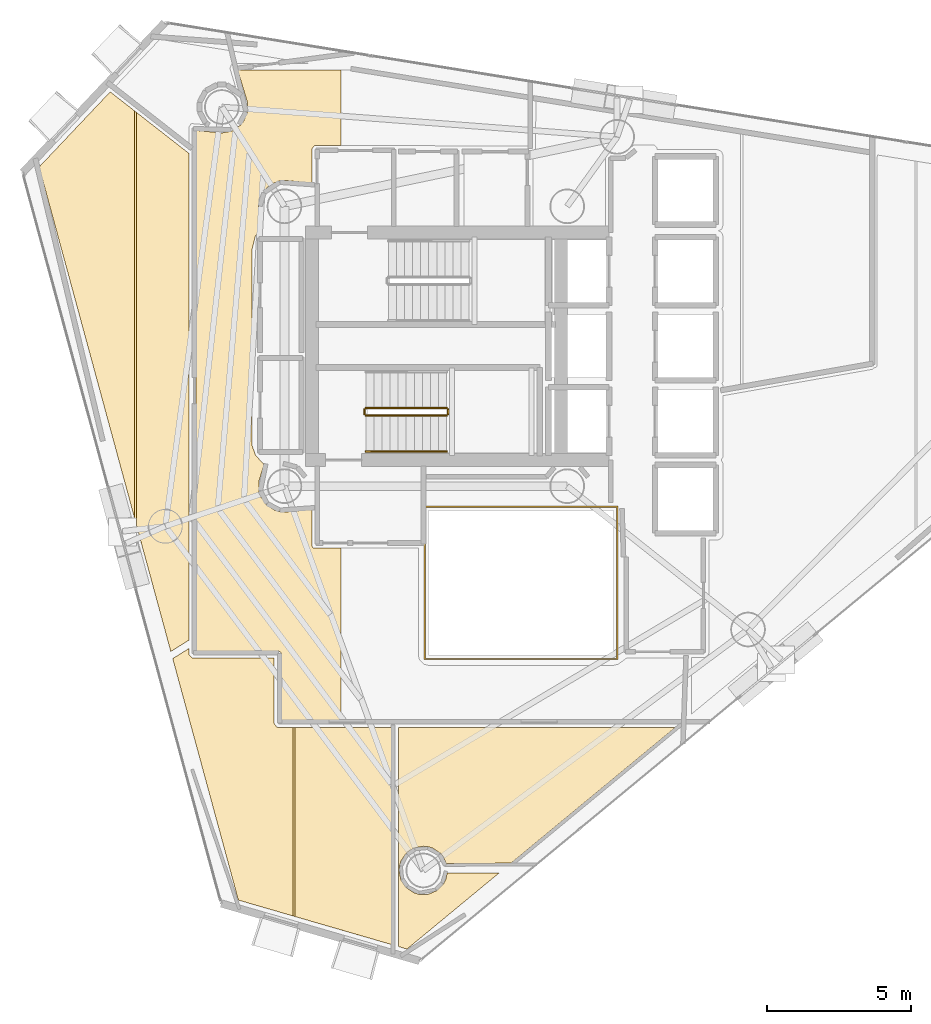
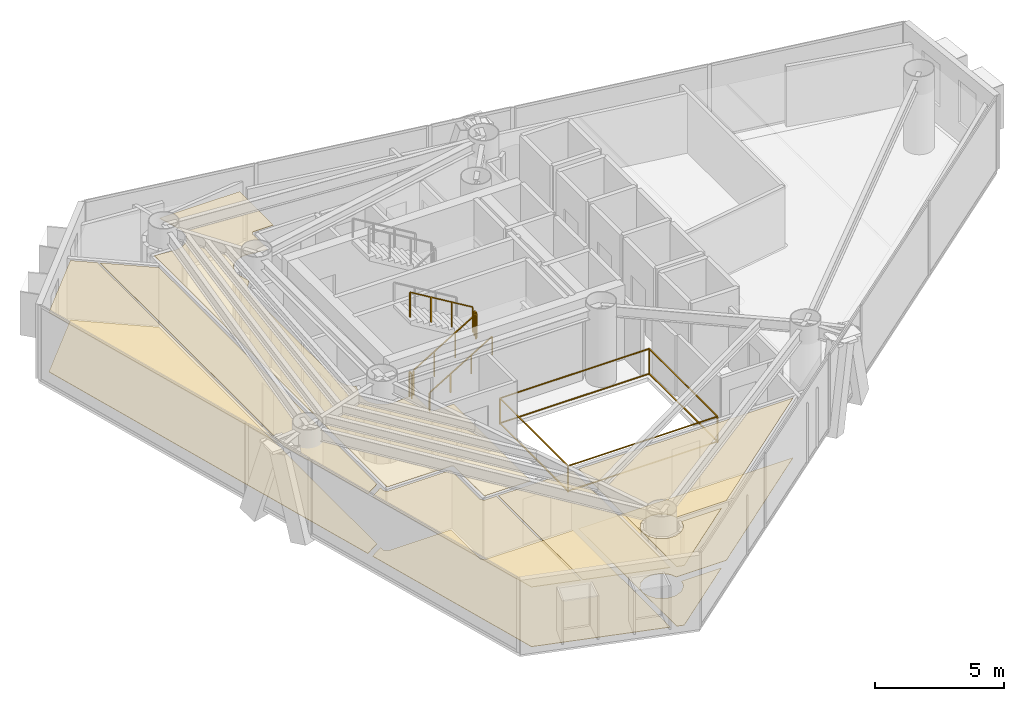
# One storey, part 19 of 21: 9 coverings, 6 railings.
"""IFC4 building model written with IfcOpenShell, lengths in metres."""

from ifc_helpers import new_model, si_unit, direction, frame, origin, origin_2d, place, context, subcontext, project, spatial, polyline, rectangle, outline, extrude, material, layer, layer_set, type_object, element, save


model = new_model("IFC4")

# Units and contexts
model_context = context("Model", 3, precision=1e-05, world=origin(), true_north=direction((0.0, 1.0)))
body_context = subcontext(model_context, "Body", "Model", "MODEL_VIEW")
ifc_project = project(units=[si_unit("LENGTHUNIT", "METRE"), si_unit("AREAUNIT", "SQUARE_METRE"), si_unit("VOLUMEUNIT", "CUBIC_METRE"), si_unit("PLANEANGLEUNIT", "RADIAN"), si_unit("MASSUNIT", "GRAM", prefix="KILO")], contexts=[model_context])

# Site, building, storey
site_placement = place(None, origin())
site = spatial("IfcSite", under=ifc_project, at=site_placement, CompositionType="ELEMENT")
building_placement = place(site_placement, origin())
building = spatial("IfcBuilding", under=site, at=building_placement, Name="Qianvela Tower", CompositionType="ELEMENT")
storey_placement = place(building_placement, frame((0.0, 0.0, 211.39990234375)))
storey = spatial("IfcBuildingStorey", under=building, at=storey_placement, Name="L54", CompositionType="ELEMENT", Elevation=211.39990234375)

# Coverings
ifc_material_1 = material(Name="Perforated Mineral Acoustic Ceiling Tile")
ifc_layer_1 = layer(ifc_material_1, 0.02490234375)
ifc_layer_set_1 = layer_set([ifc_layer_1], Name="Perforated Mineral Acoustic Ceiling Tile")
covering_type_1 = type_object("IfcCoveringType", Name="COV-CEIL-ACOUSTIC-25", PredefinedType="CEILING", material=ifc_layer_set_1)
covering_1_placement = place(storey_placement, frame((0.0, 0.0, 2.815185546875)))
element("IfcCovering", 1, at=covering_1_placement, inside=storey, type_object=covering_type_1, Name="L54 Acoustic Ceiling Bay 1 L54 Floor Corridor", PredefinedType="CEILING", context=body_context, shape_type="SweptSolid", body=[
    extrude(outline(polyline([(27.311767578125, 36.808837890625), (27.313720703125, 36.81640625), (27.31494140625, 36.82421875), (27.315185546875, 36.83203125), (27.315185546875, 37.152099609375), (27.31494140625, 37.159912109375), (27.313720703125, 37.16748046875), (27.311767578125, 37.17529296875), (26.979736328125, 38.27001953125), (30.560791015625, 38.27001953125), (30.560791015625, 35.658447265625), (29.68798828125, 35.660888671875), (29.680419921875, 35.660400390625), (29.672607421875, 35.6591796875), (29.664794921875, 35.657470703125), (29.657470703125, 35.65478515625), (29.650390625, 35.6513671875), (29.6435546875, 35.6474609375), (29.63720703125, 35.642578125), (29.63134765625, 35.637451171875), (29.626220703125, 35.631591796875), (29.576171875, 35.57080078125), (29.571533203125, 35.564453125), (29.5673828125, 35.5576171875), (29.564208984375, 35.550537109375), (29.561279296875, 35.543212890625), (29.5595703125, 35.53564453125), (29.558349609375, 35.52783203125), (29.55810546875, 35.52001953125), (29.55810546875, 34.35595703125), (28.60791015625, 34.44970703125), (28.60009765625, 34.449951171875), (28.59228515625, 34.44970703125), (28.43212890625, 34.433837890625), (28.42431640625, 34.4326171875), (28.416748046875, 34.430908203125), (28.409423828125, 34.42822265625), (28.11376953125, 34.3056640625), (28.106689453125, 34.302490234375), (28.10009765625, 34.29833984375), (28.09375, 34.293701171875), (28.087890625, 34.288330078125), (27.861572265625, 34.06201171875), (27.8564453125, 34.056396484375), (27.851806640625, 34.050048828125), (27.84765625, 34.043212890625), (27.84423828125, 34.0361328125), (27.7216796875, 33.740478515625), (27.71923828125, 33.733154296875), (27.71728515625, 33.7255859375), (27.716064453125, 33.7177734375), (27.700439453125, 33.557861328125), (27.699951171875, 33.550048828125), (27.700439453125, 33.542236328125), (27.716064453125, 33.382080078125), (27.71728515625, 33.37451171875), (27.71923828125, 33.36669921875), (27.865478515625, 32.884521484375), (27.60107421875, 32.52685546875), (27.5966796875, 32.5205078125), (27.593017578125, 32.513427734375), (27.590087890625, 32.50634765625), (27.587890625, 32.4990234375), (27.472412109375, 32.0458984375), (27.47119140625, 32.039306640625), (27.47021484375, 32.03271484375), (27.469970703125, 32.026123046875), (27.469970703125, 25.291259765625), (27.47021484375, 25.2841796875), (27.47119140625, 25.27734375), (27.47265625, 25.2705078125), (27.474853515625, 25.263916015625), (27.59326171875, 24.938232421875), (27.59619140625, 24.93115234375), (27.599853515625, 24.92431640625), (27.604248046875, 24.91796875), (27.609130859375, 24.911865234375), (27.89111328125, 24.599853515625), (27.71923828125, 24.033203125), (27.71728515625, 24.025634765625), (27.716064453125, 24.017822265625), (27.7158203125, 24.010009765625), (27.7158203125, 23.68994140625), (27.716064453125, 23.68212890625), (27.71728515625, 23.67431640625), (27.71923828125, 23.666748046875), (27.765869140625, 23.512939453125), (27.7685546875, 23.505615234375), (27.77197265625, 23.49853515625), (27.77587890625, 23.49169921875), (27.95361328125, 23.2255859375), (27.958251953125, 23.219482421875), (27.963623046875, 23.213623046875), (27.969482421875, 23.208251953125), (27.9755859375, 23.20361328125), (28.24169921875, 23.02587890625), (28.24853515625, 23.02197265625), (28.255615234375, 23.0185546875), (28.262939453125, 23.015869140625), (28.416748046875, 22.96923828125), (28.42431640625, 22.96728515625), (28.43212890625, 22.966064453125), (28.59228515625, 22.950439453125), (28.60009765625, 22.949951171875), (28.60791015625, 22.950439453125), (29.55810546875, 23.0439453125), (29.55810546875, 21.780029296875), (29.558349609375, 21.772216796875), (29.5595703125, 21.764404296875), (29.561279296875, 21.7568359375), (29.564208984375, 21.74951171875), (29.5673828125, 21.7421875), (29.571533203125, 21.735595703125), (29.576171875, 21.729248046875), (29.581298828125, 21.723388671875), (29.587158203125, 21.71826171875), (29.593505859375, 21.71337890625), (29.600341796875, 21.70947265625), (29.607421875, 21.7060546875), (29.61474609375, 21.703369140625), (29.622314453125, 21.701416015625), (29.630126953125, 21.700439453125), (29.637939453125, 21.699951171875), (30.560791015625, 21.699951171875), (30.560791015625, 15.72998046875), (28.47998046875, 15.72998046875), (28.47998046875, 18.050048828125), (28.4794921875, 18.057861328125), (28.478515625, 18.065673828125), (28.4765625, 18.0732421875), (28.473876953125, 18.08056640625), (28.470703125, 18.087646484375), (28.466552734375, 18.094482421875), (28.4619140625, 18.100830078125), (28.45654296875, 18.106689453125), (28.45068359375, 18.11181640625), (28.4443359375, 18.116455078125), (28.437744140625, 18.12060546875), (28.4306640625, 18.123779296875), (28.423095703125, 18.126708984375), (28.41552734375, 18.12841796875), (28.40771484375, 18.129638671875), (28.39990234375, 18.1298828125), (25.530029296875, 18.1298828125), (25.530029296875, 36.180419921875), (26.423095703125, 36.09228515625), (26.430908203125, 36.092041015625), (26.438720703125, 36.09228515625), (26.446533203125, 36.093505859375), (26.760498046875, 36.156005859375), (26.76806640625, 36.157958984375), (26.775390625, 36.160400390625), (26.782470703125, 36.163818359375), (26.789306640625, 36.16796875), (27.055419921875, 36.345703125), (27.0615234375, 36.350341796875), (27.0673828125, 36.355712890625), (27.07275390625, 36.361328125), (27.174560546875, 36.485595703125), (27.17919921875, 36.491943359375), (27.183349609375, 36.498779296875), (27.186767578125, 36.505859375), (27.30908203125, 36.801513671875), (27.311767578125, 36.808837890625)])), origin(), (0.0, 0.0, 1.0), 0.02490234375),
])
covering_2_placement = place(storey_placement, frame((0.0, 0.0, 2.815185546875)))
element("IfcCovering", 2, at=covering_2_placement, inside=storey, type_object=covering_type_1, Name="L54 Acoustic Ceiling Bay 1 Student Reading Library L54-01", PredefinedType="CEILING", context=body_context, shape_type="SweptSolid", body=[
    extrude(outline(polyline([(25.29150390625, 18.033935546875), (25.2919921875, 18.025634765625), (25.293212890625, 18.017578125), (25.29541015625, 18.009521484375), (25.298583984375, 18.001708984375), (25.30224609375, 17.994384765625), (25.306884765625, 17.987548828125), (25.31201171875, 17.98095703125), (25.31787109375, 17.97509765625), (25.388427734375, 17.9111328125), (25.39501953125, 17.90576171875), (25.402099609375, 17.901123046875), (25.409423828125, 17.8974609375), (25.417236328125, 17.894287109375), (25.42529296875, 17.89208984375), (25.433837890625, 17.890869140625), (25.442138671875, 17.890380859375), (28.239990234375, 17.889892578125), (28.239990234375, 15.64990234375), (28.240478515625, 15.64208984375), (28.241455078125, 15.634521484375), (28.243408203125, 15.626708984375), (28.24609375, 15.619384765625), (28.24951171875, 15.6123046875), (28.25341796875, 15.605712890625), (28.25830078125, 15.59912109375), (28.322509765625, 15.520751953125), (28.327880859375, 15.514892578125), (28.33349609375, 15.509765625), (28.33984375, 15.5048828125), (28.3466796875, 15.5009765625), (28.353759765625, 15.49755859375), (28.361083984375, 15.4951171875), (28.368896484375, 15.4931640625), (28.37646484375, 15.491943359375), (28.384521484375, 15.491455078125), (28.887939453125, 15.491455078125), (28.887939453125, 8.95703125), (27.001708984375, 9.50439453125), (24.7275390625, 17.875), (25.290771484375, 18.226806640625), (25.29150390625, 18.033935546875)])), origin(), (0.0, 0.0, 1.0), 0.02490234375),
])
covering_3_placement = place(storey_placement, frame((0.0, 0.0, 2.815185546875)))
element("IfcCovering", 3, at=covering_3_placement, inside=storey, type_object=covering_type_1, Name="L54 Acoustic Ceiling Bay 2 Student Reading Library L54-01", PredefinedType="CEILING", context=body_context, shape_type="SweptSolid", body=[
    extrude(outline(polyline([(32.317138671875, 15.4912109375), (32.317138671875, 7.961669921875), (28.968017578125, 8.933837890625), (28.968017578125, 15.491455078125), (32.317138671875, 15.4912109375)])), origin(), (0.0, 0.0, 1.0), 0.02490234375),
])
covering_4_placement = place(storey_placement, frame((0.0, 0.0, 2.815185546875)))
element("IfcCovering", 4, at=covering_4_placement, inside=storey, type_object=covering_type_1, Name="L54 Acoustic Ceiling Media Practice Cinema L54-02", PredefinedType="CEILING", context=body_context, shape_type="SweptSolid", body=[
    extrude(outline(polyline([(32.56103515625, 15.4912109375), (42.1494140625, 15.489990234375), (36.44970703125, 10.78271484375), (34.2060546875, 10.777099609375), (34.11865234375, 10.984375), (34.115234375, 10.9912109375), (34.111328125, 10.997802734375), (34.106689453125, 11.00390625), (34.01220703125, 11.119140625), (34.007080078125, 11.125), (34.001220703125, 11.130126953125), (33.994873046875, 11.135009765625), (33.748291015625, 11.2998046875), (33.74169921875, 11.3037109375), (33.734619140625, 11.30712890625), (33.72705078125, 11.309814453125), (33.58447265625, 11.35302734375), (33.576904296875, 11.35498046875), (33.569091796875, 11.35595703125), (33.4208984375, 11.37060546875), (33.4130859375, 11.37109375), (33.4052734375, 11.37060546875), (33.3974609375, 11.369384765625), (33.106689453125, 11.3115234375), (33.098876953125, 11.309814453125), (33.091552734375, 11.30712890625), (33.08447265625, 11.3037109375), (33.07763671875, 11.2998046875), (32.831298828125, 11.135009765625), (32.82470703125, 11.130126953125), (32.819091796875, 11.125), (32.813720703125, 11.119140625), (32.80908203125, 11.11279296875), (32.644287109375, 10.8662109375), (32.640380859375, 10.859619140625), (32.636962890625, 10.8525390625), (32.63427734375, 10.84521484375), (32.591064453125, 10.702392578125), (32.589111328125, 10.69482421875), (32.587890625, 10.68701171875), (32.573486328125, 10.538818359375), (32.572998046875, 10.531005859375), (32.573486328125, 10.523193359375), (32.574462890625, 10.515380859375), (32.63232421875, 10.224609375), (32.63427734375, 10.216796875), (32.636962890625, 10.20947265625), (32.640380859375, 10.202392578125), (32.644287109375, 10.19580078125), (32.80908203125, 9.94921875), (32.813720703125, 9.94287109375), (32.819091796875, 9.93701171875), (32.82470703125, 9.931884765625), (32.831298828125, 9.927001953125), (33.07763671875, 9.76220703125), (33.08447265625, 9.75830078125), (33.091552734375, 9.7548828125), (33.098876953125, 9.752197265625), (33.241455078125, 9.708984375), (33.2490234375, 9.70703125), (33.2568359375, 9.7060546875), (33.2646484375, 9.70556640625), (33.561279296875, 9.70556640625), (33.569091796875, 9.7060546875), (33.576904296875, 9.70703125), (33.58447265625, 9.708984375), (33.591796875, 9.711669921875), (33.86572265625, 9.8251953125), (33.872802734375, 9.82861328125), (33.879638671875, 9.83251953125), (33.885986328125, 9.837158203125), (33.891845703125, 9.842529296875), (34.1015625, 10.05224609375), (34.106689453125, 10.05810546875), (34.111328125, 10.064208984375), (34.115478515625, 10.071044921875), (34.185791015625, 10.202392578125), (34.18896484375, 10.20947265625), (34.191650390625, 10.216796875), (34.193603515625, 10.22412109375), (34.237060546875, 10.437255859375), (36.036865234375, 10.441650390625), (32.847412109375, 7.8076171875), (32.56103515625, 7.890625), (32.56103515625, 15.4912109375)])), origin(), (0.0, 0.0, 1.0), 0.02490234375),
])
covering_5_placement = place(storey_placement, frame((0.0, 0.0, 2.815185546875)))
element("IfcCovering", 5, at=covering_5_placement, inside=storey, type_object=covering_type_1, Name="L54 Acoustic Ceiling Bay 1 Floor Dining Kitchen L54-05", PredefinedType="CEILING", context=body_context, shape_type="SweptSolid", body=[
    extrude(outline(polyline([(23.39599609375, 36.864501953125), (23.39599609375, 22.775634765625), (20.097900390625, 34.9150390625), (22.56005859375, 37.517578125), (23.39599609375, 36.864501953125)])), origin(), (0.0, 0.0, 1.0), 0.02490234375),
])
covering_6_placement = place(storey_placement, frame((0.0, 0.0, 2.815185546875)))
element("IfcCovering", 6, at=covering_6_placement, inside=storey, type_object=covering_type_1, Name="L54 Acoustic Ceiling Bay 2 Floor Dining Kitchen L54-05", PredefinedType="CEILING", context=body_context, shape_type="SweptSolid", body=[
    extrude(outline(polyline([(25.2900390625, 35.384765625), (25.2900390625, 18.51416015625), (24.66064453125, 18.12109375), (23.47607421875, 22.481201171875), (23.47607421875, 36.802001953125), (25.2900390625, 35.384765625)])), origin(), (0.0, 0.0, 1.0), 0.02490234375),
])
ifc_material_2 = material(Name="Engineered Acoustic Oak Timber Flooring", Category="wood")
ifc_layer_2 = layer(ifc_material_2, 0.02001953125)
ifc_layer_set_2 = layer_set([ifc_layer_2], Name="Engineered Acoustic Oak Timber Flooring")
covering_type_2 = type_object("IfcCoveringType", Name="COV-FLOOR-OAK-20", PredefinedType="FLOORING", material=ifc_layer_set_2)
covering_7_placement = place(storey_placement, origin())
element("IfcCovering", 7, at=covering_7_placement, inside=storey, type_object=covering_type_2, Name="L54 Finish Flooring Student Reading Library L54-01", PredefinedType="FLOORING", context=body_context, shape_type="SweptSolid", body=[
    extrude(outline(polyline([(25.290771484375, 18.226806640625), (25.29150390625, 18.033935546875), (25.2919921875, 18.025634765625), (25.293212890625, 18.017578125), (25.29541015625, 18.009521484375), (25.298583984375, 18.001708984375), (25.30224609375, 17.994384765625), (25.306884765625, 17.987548828125), (25.31201171875, 17.98095703125), (25.31787109375, 17.97509765625), (25.388427734375, 17.9111328125), (25.39501953125, 17.90576171875), (25.402099609375, 17.901123046875), (25.409423828125, 17.8974609375), (25.417236328125, 17.894287109375), (25.42529296875, 17.89208984375), (25.433837890625, 17.890869140625), (25.442138671875, 17.890380859375), (28.239990234375, 17.889892578125), (28.239990234375, 15.64990234375), (28.240478515625, 15.64208984375), (28.241455078125, 15.634521484375), (28.243408203125, 15.626708984375), (28.24609375, 15.619384765625), (28.24951171875, 15.6123046875), (28.25341796875, 15.605712890625), (28.25830078125, 15.59912109375), (28.322509765625, 15.520751953125), (28.327880859375, 15.514892578125), (28.33349609375, 15.509765625), (28.33984375, 15.5048828125), (28.3466796875, 15.5009765625), (28.353759765625, 15.49755859375), (28.361083984375, 15.4951171875), (28.368896484375, 15.4931640625), (28.37646484375, 15.491943359375), (28.384521484375, 15.491455078125), (32.317138671875, 15.4912109375), (32.317138671875, 7.961669921875), (27.001708984375, 9.50439453125), (24.7275390625, 17.875), (25.290771484375, 18.226806640625)])), origin(), (0.0, 0.0, 1.0), 0.02001953125),
])
covering_8_placement = place(storey_placement, origin())
element("IfcCovering", 8, at=covering_8_placement, inside=storey, type_object=covering_type_2, Name="L54 Finish Flooring Media Practice Cinema L54-02", PredefinedType="FLOORING", context=body_context, shape_type="SweptSolid", body=[
    extrude(outline(polyline([(32.56103515625, 15.4912109375), (42.1494140625, 15.489990234375), (36.44970703125, 10.78271484375), (34.2060546875, 10.777099609375), (34.11865234375, 10.984375), (34.115234375, 10.9912109375), (34.111328125, 10.997802734375), (34.106689453125, 11.00390625), (34.01220703125, 11.119140625), (34.007080078125, 11.125), (34.001220703125, 11.130126953125), (33.994873046875, 11.135009765625), (33.748291015625, 11.2998046875), (33.74169921875, 11.3037109375), (33.734619140625, 11.30712890625), (33.72705078125, 11.309814453125), (33.58447265625, 11.35302734375), (33.576904296875, 11.35498046875), (33.569091796875, 11.35595703125), (33.4208984375, 11.37060546875), (33.4130859375, 11.37109375), (33.4052734375, 11.37060546875), (33.3974609375, 11.369384765625), (33.106689453125, 11.3115234375), (33.098876953125, 11.309814453125), (33.091552734375, 11.30712890625), (33.08447265625, 11.3037109375), (33.07763671875, 11.2998046875), (32.831298828125, 11.135009765625), (32.82470703125, 11.130126953125), (32.819091796875, 11.125), (32.813720703125, 11.119140625), (32.80908203125, 11.11279296875), (32.644287109375, 10.8662109375), (32.640380859375, 10.859619140625), (32.636962890625, 10.8525390625), (32.63427734375, 10.84521484375), (32.591064453125, 10.702392578125), (32.589111328125, 10.69482421875), (32.587890625, 10.68701171875), (32.573486328125, 10.538818359375), (32.572998046875, 10.531005859375), (32.573486328125, 10.523193359375), (32.574462890625, 10.515380859375), (32.63232421875, 10.224609375), (32.63427734375, 10.216796875), (32.636962890625, 10.20947265625), (32.640380859375, 10.202392578125), (32.644287109375, 10.19580078125), (32.80908203125, 9.94921875), (32.813720703125, 9.94287109375), (32.819091796875, 9.93701171875), (32.82470703125, 9.931884765625), (32.831298828125, 9.927001953125), (33.07763671875, 9.76220703125), (33.08447265625, 9.75830078125), (33.091552734375, 9.7548828125), (33.098876953125, 9.752197265625), (33.241455078125, 9.708984375), (33.2490234375, 9.70703125), (33.2568359375, 9.7060546875), (33.2646484375, 9.70556640625), (33.561279296875, 9.70556640625), (33.569091796875, 9.7060546875), (33.576904296875, 9.70703125), (33.58447265625, 9.708984375), (33.591796875, 9.711669921875), (33.86572265625, 9.8251953125), (33.872802734375, 9.82861328125), (33.879638671875, 9.83251953125), (33.885986328125, 9.837158203125), (33.891845703125, 9.842529296875), (34.1015625, 10.05224609375), (34.106689453125, 10.05810546875), (34.111328125, 10.064208984375), (34.115478515625, 10.071044921875), (34.185791015625, 10.202392578125), (34.18896484375, 10.20947265625), (34.191650390625, 10.216796875), (34.193603515625, 10.22412109375), (34.237060546875, 10.437255859375), (36.036865234375, 10.441650390625), (32.847412109375, 7.8076171875), (32.56103515625, 7.890625), (32.56103515625, 15.4912109375)])), origin(), (0.0, 0.0, 1.0), 0.02001953125),
])
covering_9_placement = place(storey_placement, origin())
element("IfcCovering", 9, at=covering_9_placement, inside=storey, type_object=covering_type_2, Name="L54 Finish Flooring Floor Dining Kitchen L54-05", PredefinedType="FLOORING", context=body_context, shape_type="SweptSolid", body=[
    extrude(outline(polyline([(22.56005859375, 37.517578125), (25.2900390625, 35.384765625), (25.2900390625, 18.51416015625), (24.66064453125, 18.12109375), (20.097900390625, 34.9150390625), (22.56005859375, 37.517578125)])), origin(), (0.0, 0.0, 1.0), 0.02001953125),
])

# Railings
ifc_material_3 = material(Name="Laminated Safety Glass and Stainless Steel 316", Category="steel")
railing_type_1 = type_object("IfcRailingType", Name="RL-ATRIUM-GUARD-1250", PredefinedType="GUARDRAIL", material=ifc_material_3)
railing_1_placement = place(storey_placement, frame((33.4599609375, 17.860107421875, 0.0)))
element("IfcRailing", 10, at=railing_1_placement, inside=storey, type_object=railing_type_1, Name="L54 Atrium Edge Guardrail 1", PredefinedType="GUARDRAIL", context=body_context, shape_type="SweptSolid", body=[
    extrude(rectangle(XDim=0.050048828125, YDim=0.0400390625, at=origin_2d()), frame((0.0, 0.0, 1.22998046875), z_axis=(0.0, 1.0, 0.0), x_axis=(-1.0, 0.0, 0.0)), (0.0, 0.0, 1.0), 5.27978515625),
    extrude(rectangle(XDim=0.050048828125, YDim=0.0400390625, at=origin_2d()), frame((0.0, 0.0, 0.050048828125), z_axis=(0.0, 1.0, 0.0), x_axis=(-1.0, 0.0, 0.0)), (0.0, 0.0, 1.0), 5.27978515625),
    extrude(rectangle(XDim=0.050048828125, YDim=0.0400390625, at=origin_2d()), frame((0.0, 5.27978515625, 1.22998046875), z_axis=(1.0, 0.0, 0.0), x_axis=(0.0, 1.0, 0.0)), (0.0, 0.0, 1.0), 6.679931640625),
    extrude(rectangle(XDim=0.050048828125, YDim=0.0400390625, at=origin_2d()), frame((0.0, 5.27978515625, 0.050048828125), z_axis=(1.0, 0.0, 0.0), x_axis=(0.0, 1.0, 0.0)), (0.0, 0.0, 1.0), 6.679931640625),
    extrude(rectangle(XDim=0.050048828125, YDim=0.0400390625, at=origin_2d()), frame((6.679931640625, 5.27978515625, 1.22998046875), z_axis=(0.0, -1.0, 0.0), x_axis=(1.0, 0.0, 0.0)), (0.0, 0.0, 1.0), 5.27978515625),
    extrude(rectangle(XDim=0.050048828125, YDim=0.0400390625, at=origin_2d()), frame((6.679931640625, 5.27978515625, 0.050048828125), z_axis=(0.0, -1.0, 0.0), x_axis=(1.0, 0.0, 0.0)), (0.0, 0.0, 1.0), 5.27978515625),
    extrude(rectangle(XDim=0.050048828125, YDim=0.0400390625, at=origin_2d()), frame((6.679931640625, 0.0, 1.22998046875), z_axis=(-1.0, 0.0, 0.0), x_axis=(0.0, -1.0, 0.0)), (0.0, 0.0, 1.0), 6.679931640625),
    extrude(rectangle(XDim=0.050048828125, YDim=0.0400390625, at=origin_2d()), frame((6.679931640625, 0.0, 0.050048828125), z_axis=(-1.0, 0.0, 0.0), x_axis=(0.0, -1.0, 0.0)), (0.0, 0.0, 1.0), 6.679931640625),
    extrude(rectangle(XDim=0.050048828125, YDim=0.050048828125, at=origin_2d()), origin(), (0.0, 0.0, 1.0), 1.2099609375),
    extrude(rectangle(XDim=0.050048828125, YDim=0.050048828125, at=origin_2d()), frame((0.0, 5.27978515625, 0.0)), (0.0, 0.0, 1.0), 1.2099609375),
    extrude(rectangle(XDim=0.050048828125, YDim=0.050048828125, at=origin_2d()), frame((6.679931640625, 5.27978515625, 0.0)), (0.0, 0.0, 1.0), 1.2099609375),
    extrude(rectangle(XDim=0.050048828125, YDim=0.050048828125, at=origin_2d()), frame((6.679931640625, 0.0, 0.0)), (0.0, 0.0, 1.0), 1.2099609375),
])
ifc_material_4 = material(Name="Painted Tubular Steel Q355B", Category="steel")
railing_type_2 = type_object("IfcRailingType", Name="RL-STAIR-GUARD-1200", PredefinedType="GUARDRAIL", material=ifc_material_4)
railing_2_placement = place(storey_placement, frame((31.419921875, 26.300048828125, 0.168212890625)))
element("IfcRailing", 11, at=railing_2_placement, inside=storey, type_object=railing_type_2, Name="L54 ST-2 stair guard 1", PredefinedType="GUARDRAIL", context=body_context, shape_type="SweptSolid", body=[
    extrude(rectangle(XDim=0.050048828125, YDim=0.0400390625, at=origin_2d()), frame((0.0, 0.0, 1.179931640625), z_axis=(0.857242210791, 0.0, 0.514913383045), x_axis=(0.0, 1.0, 0.0)), (0.0, 0.0, 1.0), 3.266357421875),
    extrude(rectangle(XDim=0.050048828125, YDim=0.050048828125, at=origin_2d()), origin(), (0.0, 0.0, 1.0), 1.159912109375),
    extrude(rectangle(XDim=0.050048828125, YDim=0.050048828125, at=origin_2d()), frame((0.933349609375, 0.0, 0.560546875)), (0.0, 0.0, 1.0), 1.159912109375),
    extrude(rectangle(XDim=0.050048828125, YDim=0.050048828125, at=origin_2d()), frame((1.86669921875, 0.0, 1.121337890625)), (0.0, 0.0, 1.0), 1.159912109375),
    extrude(rectangle(XDim=0.050048828125, YDim=0.050048828125, at=origin_2d()), frame((2.800048828125, 0.0, 1.681884765625)), (0.0, 0.0, 1.0), 1.159912109375),
])
railing_3_placement = place(storey_placement, frame((34.27001953125, 26.35009765625, 1.85009765625)))
element("IfcRailing", 12, at=railing_3_placement, inside=storey, type_object=railing_type_2, Name="L54 ST-2 stair guard 2", PredefinedType="GUARDRAIL", context=body_context, shape_type="SweptSolid", body=[
    extrude(rectangle(XDim=0.050048828125, YDim=0.0400390625, at=origin_2d()), frame((0.0, 0.0, 1.179931640625), z_axis=(0.0, 1.0, 0.0), x_axis=(-1.0, 0.0, 0.0)), (0.0, 0.0, 1.0), 0.159912109375),
    extrude(rectangle(XDim=0.050048828125, YDim=0.050048828125, at=origin_2d()), origin(), (0.0, 0.0, 1.0), 1.159912109375),
    extrude(rectangle(XDim=0.050048828125, YDim=0.050048828125, at=origin_2d()), frame((0.0, 0.159912109375, 0.0)), (0.0, 0.0, 1.0), 1.159912109375),
])
railing_4_placement = place(storey_placement, frame((34.219970703125, 26.56005859375, 2.018310546875)))
element("IfcRailing", 13, at=railing_4_placement, inside=storey, type_object=railing_type_2, Name="L54 ST-2 stair guard 3", PredefinedType="GUARDRAIL", context=body_context, shape_type="SweptSolid", body=[
    extrude(rectangle(XDim=0.050048828125, YDim=0.0400390625, at=origin_2d()), frame((0.0, 0.0, 1.179931640625), z_axis=(-0.857242210791, 0.0, 0.514913383045), x_axis=(0.0, -1.0, 0.0)), (0.0, 0.0, 1.0), 3.266357421875),
    extrude(rectangle(XDim=0.050048828125, YDim=0.050048828125, at=origin_2d()), origin(), (0.0, 0.0, 1.0), 1.159912109375),
    extrude(rectangle(XDim=0.050048828125, YDim=0.050048828125, at=origin_2d()), frame((-0.933349609375, 0.0, 0.560546875)), (0.0, 0.0, 1.0), 1.159912109375),
    extrude(rectangle(XDim=0.050048828125, YDim=0.050048828125, at=origin_2d()), frame((-1.86669921875, 0.0, 1.121337890625)), (0.0, 0.0, 1.0), 1.159912109375),
    extrude(rectangle(XDim=0.050048828125, YDim=0.050048828125, at=origin_2d()), frame((-2.800048828125, 0.0, 1.681884765625)), (0.0, 0.0, 1.0), 1.159912109375),
])
railing_5_placement = place(storey_placement, frame((31.3701171875, 26.35009765625, 0.0)))
element("IfcRailing", 14, at=railing_5_placement, inside=storey, type_object=railing_type_2, Name="L54 ST-2 stair guard 4", PredefinedType="GUARDRAIL", context=body_context, shape_type="SweptSolid", body=[
    extrude(rectangle(XDim=0.050048828125, YDim=0.0400390625, at=origin_2d()), frame((0.0, 0.0, 1.179931640625), z_axis=(0.0, 1.0, 0.0), x_axis=(-1.0, 0.0, 0.0)), (0.0, 0.0, 1.0), 0.159912109375),
    extrude(rectangle(XDim=0.050048828125, YDim=0.050048828125, at=origin_2d()), origin(), (0.0, 0.0, 1.0), 1.159912109375),
    extrude(rectangle(XDim=0.050048828125, YDim=0.050048828125, at=origin_2d()), frame((0.0, 0.159912109375, 0.0)), (0.0, 0.0, 1.0), 1.159912109375),
])
ifc_material_5 = material(Name="Brushed Stainless Steel 304", Category="steel")
railing_type_3 = type_object("IfcRailingType", Name="RL-STAIR-HANDRAIL-900", PredefinedType="HANDRAIL", material=ifc_material_5)
railing_6_placement = place(storey_placement, frame((31.419921875, 25.050048828125, 0.168212890625)))
element("IfcRailing", 15, at=railing_6_placement, inside=storey, type_object=railing_type_3, Name="L54 ST-2 stair handrail 1", PredefinedType="HANDRAIL", context=body_context, shape_type="SweptSolid", body=[
    extrude(rectangle(XDim=0.050048828125, YDim=0.0400390625, at=origin_2d()), frame((0.0, 0.0, 0.8798828125), z_axis=(0.857242210791, 0.0, 0.514913383045), x_axis=(0.0, 1.0, 0.0)), (0.0, 0.0, 1.0), 3.266357421875),
    extrude(rectangle(XDim=0.050048828125, YDim=0.050048828125, at=origin_2d()), origin(), (0.0, 0.0, 1.0), 0.85986328125),
    extrude(rectangle(XDim=0.050048828125, YDim=0.050048828125, at=origin_2d()), frame((0.933349609375, 0.0, 0.560546875)), (0.0, 0.0, 1.0), 0.85986328125),
    extrude(rectangle(XDim=0.050048828125, YDim=0.050048828125, at=origin_2d()), frame((1.86669921875, 0.0, 1.121337890625)), (0.0, 0.0, 1.0), 0.85986328125),
    extrude(rectangle(XDim=0.050048828125, YDim=0.050048828125, at=origin_2d()), frame((2.800048828125, 0.0, 1.681884765625)), (0.0, 0.0, 1.0), 0.85986328125),
])

save(model, "model.ifc")
